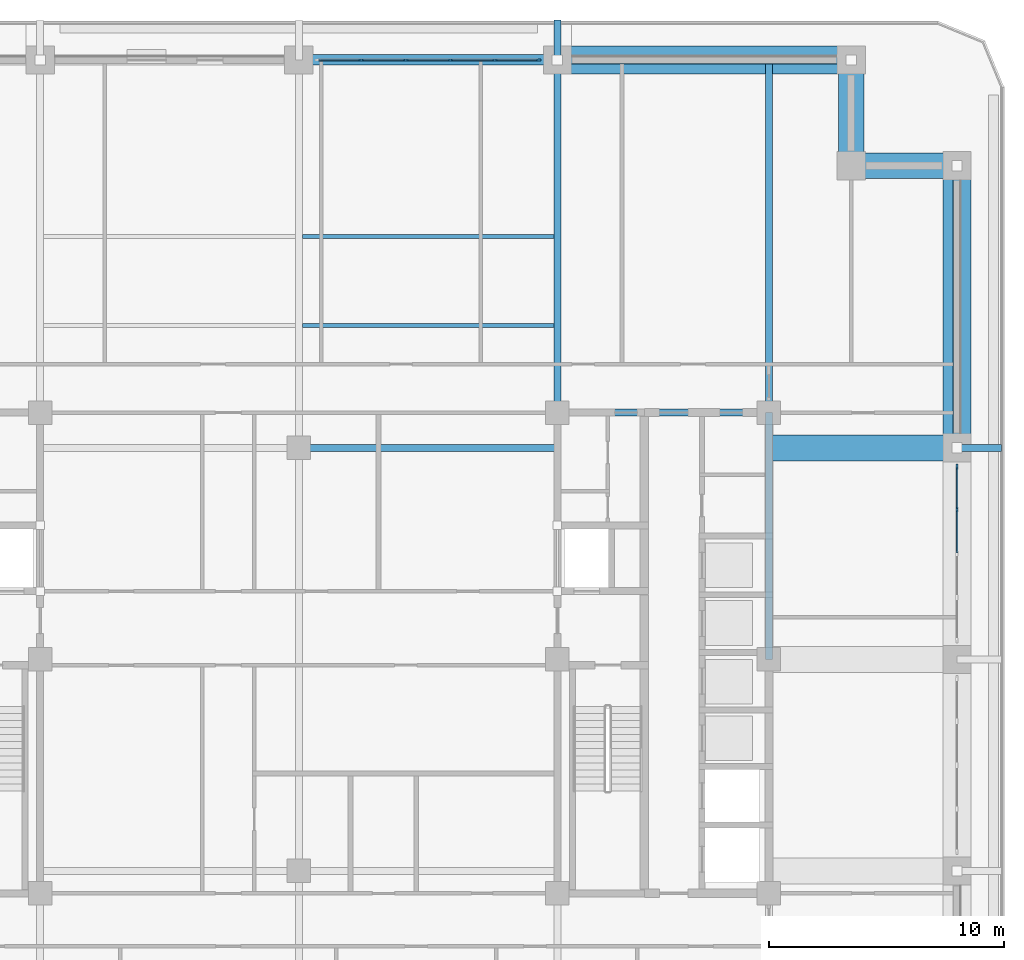
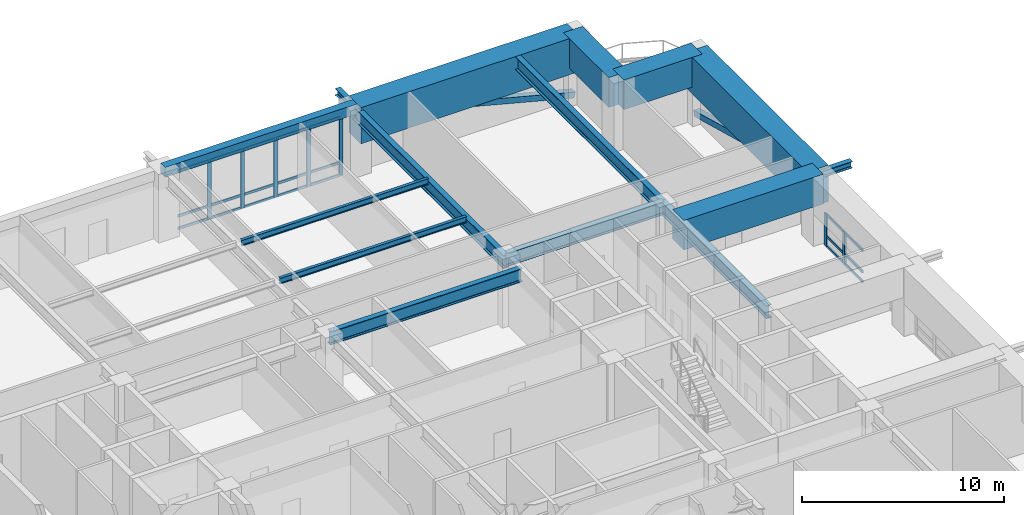
# One storey, part 6 of 21: 30 members, 15 beams, 2 elements without a shape of their own.
"""IFC4 building model written with IfcOpenShell, lengths in metres."""

from ifc_helpers import new_model, si_unit, direction, frame, origin, origin_2d, place, context, subcontext, project, spatial, rectangle, hollow_rectangle, i_section, extrude, material, material_profile, profile_set, type_object, element, aggregate, save


model = new_model("IFC4")

# Units and contexts
model_context = context("Model", 3, precision=1e-05, world=origin(), true_north=direction((0.0, 1.0)))
body_context = subcontext(model_context, "Body", "Model", "MODEL_VIEW")
ifc_project = project(units=[si_unit("LENGTHUNIT", "METRE"), si_unit("AREAUNIT", "SQUARE_METRE"), si_unit("VOLUMEUNIT", "CUBIC_METRE"), si_unit("PLANEANGLEUNIT", "RADIAN"), si_unit("MASSUNIT", "GRAM", prefix="KILO")], contexts=[model_context])

# Site, building, storey
site_placement = place(None, origin())
site = spatial("IfcSite", under=ifc_project, at=site_placement, CompositionType="ELEMENT")
building_placement = place(site_placement, origin())
building = spatial("IfcBuilding", under=site, at=building_placement, Name="Zulmaris Gate Convention Tower", CompositionType="ELEMENT")
storey_placement = place(building_placement, frame((0.0, 0.0, 86.93994140625)))
storey = spatial("IfcBuildingStorey", under=building, at=storey_placement, Name="L21", CompositionType="ELEMENT", Elevation=86.93994140625)

# Beams
ifc_material_1 = material(Name="Steel S355", Category="steel")
ifc_material_profile_1 = material_profile(ifc_material_1, i_section(OverallWidth=0.300048828125, OverallDepth=0.39990234375, WebThickness=0.013427734375, FlangeThickness=0.02392578125, FilletRadius=0.027099609375, at=origin_2d()), Name="HEB 400")
ifc_profile_set_1 = profile_set([ifc_material_profile_1], Name="Steel S355")
beam_type_1 = type_object("IfcBeamType", Name="BM-HEB400", PredefinedType="BEAM", material=ifc_profile_set_1)
beam_1_placement = place(storey_placement, frame((11.0, 25.5, 3.79296875), z_axis=(0.0, 1.0, 0.0), x_axis=(-1.0, 0.0, 0.0)))
element("IfcBeam", 1, at=beam_1_placement, inside=storey, type_object=beam_type_1, Name="L21 Beam TBRK-L21-N-+11", PredefinedType="BEAM", context=body_context, shape_type="SweptSolid", body=[
    extrude(i_section(OverallWidth=0.300048828125, OverallDepth=0.39990234375, WebThickness=0.013427734375, FlangeThickness=0.02392578125, FilletRadius=0.027099609375, at=origin_2d()), origin(), (0.0, 0.0, 1.0), 1.699951171875),
])
beam_2_placement = place(storey_placement, frame((28.0, 9.0, 3.830078125), z_axis=(1.0, 0.0, 0.0), x_axis=(0.0, 1.0, 0.0)))
element("IfcBeam", 2, at=beam_2_placement, inside=storey, type_object=beam_type_1, Name="L21 Beam TBRK-L21-E-+9", PredefinedType="BEAM", context=body_context, shape_type="SweptSolid", body=[
    extrude(i_section(OverallWidth=0.300048828125, OverallDepth=0.39990234375, WebThickness=0.013427734375, FlangeThickness=0.02392578125, FilletRadius=0.027099609375, at=origin_2d()), origin(), (0.0, 0.0, 1.0), 1.89990234375),
])
ifc_material_profile_2 = material_profile(ifc_material_1, i_section(OverallWidth=0.300048828125, OverallDepth=0.800048828125, WebThickness=0.017578125, FlangeThickness=0.032958984375, FilletRadius=0.030029296875, at=origin_2d()), Name="HEB 800")
ifc_profile_set_2 = profile_set([ifc_material_profile_2], Name="Steel S355")
beam_type_2 = type_object("IfcBeamType", Name="BM-HEB800", PredefinedType="BEAM", material=ifc_profile_set_2)
beam_3_placement = place(storey_placement, frame((0.0, 9.0, 3.76806640625), z_axis=(1.0, 0.0, 0.0), x_axis=(0.0, 1.0, 0.0)))
element("IfcBeam", 3, at=beam_3_placement, inside=storey, type_object=beam_type_2, Name="L21 Beam BM-L21-G04", PredefinedType="BEAM", context=body_context, shape_type="SweptSolid", body=[
    extrude(i_section(OverallWidth=0.300048828125, OverallDepth=0.800048828125, WebThickness=0.017578125, FlangeThickness=0.032958984375, FilletRadius=0.030029296875, at=origin_2d()), origin(), (0.0, 0.0, 1.0), 11.0),
])
for number, where, z_axis, x_axis, name in (
    (4, (11.0, 10.5, 3.593017578125), (0.0, 1.0, 0.0), (-1.0, 0.0, 0.0), "L21 Beam BM-L21-G11"),
    (5, (20.0, 10.5, 3.76806640625), (0.0, 1.0, 0.0), (-1.0, 0.0, 0.0), "L21 Beam BM-L21-G15"),
):
    element("IfcBeam", number, at=place(storey_placement, frame(where, z_axis=z_axis, x_axis=x_axis)), inside=storey, type_object=beam_type_2, Name=name, PredefinedType="BEAM", context=body_context, shape_type="SweptSolid", body=[
        extrude(i_section(OverallWidth=0.300048828125, OverallDepth=0.800048828125, WebThickness=0.017578125, FlangeThickness=0.032958984375, FilletRadius=0.030029296875, at=origin_2d()), origin(), (0.0, 0.0, 1.0), 15.0),
    ])
beam_4_placement = place(storey_placement, frame((11.0, 10.5, 3.76806640625), z_axis=(1.0, 0.0, 0.0), x_axis=(0.0, 1.0, 0.0)))
element("IfcBeam", 6, at=beam_4_placement, inside=storey, type_object=beam_type_2, Name="L21 Beam BM-L21-G25", PredefinedType="BEAM", context=body_context, shape_type="SweptSolid", body=[
    extrude(i_section(OverallWidth=0.300048828125, OverallDepth=0.800048828125, WebThickness=0.017578125, FlangeThickness=0.032958984375, FilletRadius=0.030029296875, at=origin_2d()), origin(), (0.0, 0.0, 1.0), 9.0),
])
beam_5_placement = place(storey_placement, frame((20.0, 0.0, 3.76806640625), z_axis=(0.0, 1.0, 0.0), x_axis=(-1.0, 0.0, 0.0)))
element("IfcBeam", 7, at=beam_5_placement, inside=storey, type_object=beam_type_2, Name="L21 Beam BM-L21-G29", PredefinedType="BEAM", context=body_context, shape_type="SweptSolid", body=[
    extrude(i_section(OverallWidth=0.300048828125, OverallDepth=0.800048828125, WebThickness=0.017578125, FlangeThickness=0.032958984375, FilletRadius=0.030029296875, at=origin_2d()), origin(), (0.0, 0.0, 1.0), 10.5),
])
ifc_material_2 = material(Name="Precast concrete C50/60", Category="concrete")
ifc_material_profile_3 = material_profile(ifc_material_2, rectangle(XDim=0.449951171875, YDim=0.60009765625, at=origin_2d()), Name="RC SPANDREL 450x600")
ifc_profile_set_3 = profile_set([ifc_material_profile_3], Name="Precast concrete C50/60")
beam_type_3 = type_object("IfcBeamType", Name="BM-SP450x600", PredefinedType="SPANDREL", material=ifc_profile_set_3)
beam_6_placement = place(storey_placement, frame((11.0, 25.5, 3.869873046875), z_axis=(-1.0, 0.0, 0.0), x_axis=(0.0, -1.0, 0.0)))
element("IfcBeam", 8, at=beam_6_placement, inside=storey, type_object=beam_type_3, Name="L21 Spandrel SP-L21-14", PredefinedType="SPANDREL", context=body_context, shape_type="SweptSolid", body=[
    extrude(rectangle(XDim=0.449951171875, YDim=0.60009765625, at=origin_2d()), origin(), (0.0, 0.0, 1.0), 11.0),
])
ifc_material_3 = material(Name="Concrete C80/95", Category="concrete")
ifc_material_profile_4 = material_profile(ifc_material_3, rectangle(XDim=1.10009765625, YDim=1.800048828125, at=origin_2d()), Name="RC TRANSFER 1100x1800")
ifc_profile_set_4 = profile_set([ifc_material_profile_4], Name="Concrete C80/95")
beam_type_4 = type_object("IfcBeamType", Name="BM-XFER1800", PredefinedType="BEAM", material=ifc_profile_set_4)
for number, where, z_axis, x_axis, name in (
    (9, (28.0, 21.0, 3.27001953125), (-1.0, 0.0, 0.0), (0.0, -1.0, 0.0), "L21 Beam SP-L21-11"),
    (10, (23.5, 21.0, 3.27001953125), (0.0, 1.0, 0.0), (-1.0, 0.0, 0.0), "L21 Beam SP-L21-12"),
):
    element("IfcBeam", number, at=place(storey_placement, frame(where, z_axis=z_axis, x_axis=x_axis)), inside=storey, type_object=beam_type_4, Name=name, PredefinedType="BEAM", context=body_context, shape_type="SweptSolid", body=[
        extrude(rectangle(XDim=1.10009765625, YDim=1.800048828125, at=origin_2d()), origin(), (0.0, 0.0, 1.0), 4.5),
    ])
beam_7_placement = place(storey_placement, frame((20.0, 9.0, 3.27001953125), z_axis=(1.0, 0.0, 0.0), x_axis=(0.0, 1.0, 0.0)))
element("IfcBeam", 11, at=beam_7_placement, inside=storey, type_object=beam_type_4, Name="L21 Beam BM-L21-G21", PredefinedType="BEAM", context=body_context, shape_type="SweptSolid", body=[
    extrude(rectangle(XDim=1.10009765625, YDim=1.800048828125, at=origin_2d()), origin(), (0.0, 0.0, 1.0), 8.0),
])
ifc_material_profile_5 = material_profile(ifc_material_3, rectangle(XDim=1.199951171875, YDim=2.199951171875, at=origin_2d()), Name="RC TRANSFER 1200x2200")
ifc_profile_set_5 = profile_set([ifc_material_profile_5], Name="Concrete C80/95")
beam_type_5 = type_object("IfcBeamType", Name="BM-XFER2200", PredefinedType="BEAM", material=ifc_profile_set_5)
beam_8_placement = place(storey_placement, frame((28.0, 9.0, 3.070068359375), z_axis=(0.0, 1.0, 0.0), x_axis=(-1.0, 0.0, 0.0)))
element("IfcBeam", 12, at=beam_8_placement, inside=storey, type_object=beam_type_5, Name="L21 Beam SP-L21-10", PredefinedType="BEAM", context=body_context, shape_type="SweptSolid", body=[
    extrude(rectangle(XDim=1.199951171875, YDim=2.199951171875, at=origin_2d()), origin(), (0.0, 0.0, 1.0), 12.0),
])
beam_9_placement = place(storey_placement, frame((23.5, 25.5, 3.070068359375), z_axis=(-1.0, 0.0, 0.0), x_axis=(0.0, -1.0, 0.0)))
element("IfcBeam", 13, at=beam_9_placement, inside=storey, type_object=beam_type_5, Name="L21 Beam SP-L21-13", PredefinedType="BEAM", context=body_context, shape_type="SweptSolid", body=[
    extrude(rectangle(XDim=1.199951171875, YDim=2.199951171875, at=origin_2d()), origin(), (0.0, 0.0, 1.0), 12.5),
])

# Members
ifc_material_4 = material(Name="Steel S460", Category="steel")
ifc_material_profile_6 = material_profile(ifc_material_4, hollow_rectangle(XDim=0.35009765625, YDim=0.35009765625, WallThickness=0.01611328125, at=origin_2d()), Name="SHS 350x350x16")
ifc_profile_set_6 = profile_set([ifc_material_profile_6], Name="Steel S460")
member_type_1 = type_object("IfcMemberType", Name="BR-SHS350", PredefinedType="BRACE", material=ifc_profile_set_6)
member_1_placement = place(storey_placement, frame((28.0, 21.0, 0.300048828125), z_axis=(0.0, -0.96522637192, 0.261415475728), x_axis=(1.0, 0.0, 0.0)))
element("IfcMember", 14, at=member_1_placement, inside=storey, type_object=member_type_1, Name="L21 Perimeter Tube Diagonal NE-E", PredefinedType="BRACE", context=body_context, shape_type="SweptSolid", body=[
    extrude(hollow_rectangle(XDim=0.35009765625, YDim=0.35009765625, WallThickness=0.01611328125, at=origin_2d()), origin(), (0.0, 0.0, 1.0), 12.432373046875),
])
member_2_placement = place(storey_placement, frame((23.5, 25.5, 0.300048828125), z_axis=(-0.967822506788, 0.0, 0.251633851765), x_axis=(0.0, -1.0, 0.0)))
element("IfcMember", 15, at=member_2_placement, inside=storey, type_object=member_type_1, Name="L21 Perimeter Tube Diagonal NE-N", PredefinedType="BRACE", context=body_context, shape_type="SweptSolid", body=[
    extrude(hollow_rectangle(XDim=0.35009765625, YDim=0.35009765625, WallThickness=0.01611328125, at=origin_2d()), origin(), (0.0, 0.0, 1.0), 12.91552734375),
])

# Curtain wall, members
ifc_material_5 = material(Name="Anodised Aluminium", Category="aluminium")
curtain_wall_type = type_object("IfcCurtainWallType", Name="CW-04", PredefinedType="NOTDEFINED", material=ifc_material_5)
curtain_wall_1_placement = place(storey_placement, origin())
curtain_wall_1 = element("IfcCurtainWall", 16, at=curtain_wall_1_placement, inside=storey, type_object=curtain_wall_type, Name="CW-04 CW04-L21-N-2_0", PredefinedType="NOTDEFINED")
ifc_material_profile_7 = material_profile(ifc_material_5, rectangle(XDim=0.090087890625, YDim=0.219970703125, at=origin_2d()), Name="ALU MULLION 90x220")
ifc_profile_set_7 = profile_set([ifc_material_profile_7], Name="Anodised Aluminium")
member_type_2 = type_object("IfcMemberType", Name="CW-04-MULL", PredefinedType="MULLION", material=ifc_profile_set_7)
member_3_placement = place(storey_placement, frame((10.195068359375, 25.5, 0.0), z_axis=(0.0, 0.0, 1.0), x_axis=(0.0, -1.0, 0.0)))
member_3 = element("IfcMember", 17, at=member_3_placement, type_object=member_type_2, Name="CW-04 mullion 1", PredefinedType="MULLION", context=body_context, shape_type="SweptSolid", body=[
    extrude(rectangle(XDim=0.090087890625, YDim=0.219970703125, at=origin_2d()), origin(), (0.0, 0.0, 1.0), 3.56201171875),
])
member_4_placement = place(storey_placement, frame((8.343994140625, 25.5, 0.0), z_axis=(0.0, 0.0, 1.0), x_axis=(0.0, -1.0, 0.0)))
member_4 = element("IfcMember", 18, at=member_4_placement, type_object=member_type_2, Name="CW-04 mullion 2", PredefinedType="MULLION", context=body_context, shape_type="SweptSolid", body=[
    extrude(rectangle(XDim=0.090087890625, YDim=0.219970703125, at=origin_2d()), origin(), (0.0, 0.0, 1.0), 3.56201171875),
])
member_5_placement = place(storey_placement, frame((6.447998046875, 25.5, 0.0), z_axis=(0.0, 0.0, 1.0), x_axis=(0.0, -1.0, 0.0)))
member_5 = element("IfcMember", 19, at=member_5_placement, type_object=member_type_2, Name="CW-04 mullion 3", PredefinedType="MULLION", context=body_context, shape_type="SweptSolid", body=[
    extrude(rectangle(XDim=0.090087890625, YDim=0.219970703125, at=origin_2d()), origin(), (0.0, 0.0, 1.0), 3.56201171875),
])
member_6_placement = place(storey_placement, frame((4.552001953125, 25.5, 0.0), z_axis=(0.0, 0.0, 1.0), x_axis=(0.0, -1.0, 0.0)))
member_6 = element("IfcMember", 20, at=member_6_placement, type_object=member_type_2, Name="CW-04 mullion 4", PredefinedType="MULLION", context=body_context, shape_type="SweptSolid", body=[
    extrude(rectangle(XDim=0.090087890625, YDim=0.219970703125, at=origin_2d()), origin(), (0.0, 0.0, 1.0), 3.56201171875),
])
member_7_placement = place(storey_placement, frame((2.656005859375, 25.5, 0.0), z_axis=(0.0, 0.0, 1.0), x_axis=(0.0, -1.0, 0.0)))
member_7 = element("IfcMember", 21, at=member_7_placement, type_object=member_type_2, Name="CW-04 mullion 5", PredefinedType="MULLION", context=body_context, shape_type="SweptSolid", body=[
    extrude(rectangle(XDim=0.090087890625, YDim=0.219970703125, at=origin_2d()), origin(), (0.0, 0.0, 1.0), 3.56201171875),
])

curtain_wall_2_placement = place(storey_placement, origin())
curtain_wall_2 = element("IfcCurtainWall", 22, at=curtain_wall_2_placement, inside=storey, type_object=curtain_wall_type, Name="CW-04 CW04-L21-E-2_0", PredefinedType="NOTDEFINED")
member_8_placement = place(storey_placement, frame((28.0, 6.3701171875, 0.0), z_axis=(0.0, 0.0, 1.0), x_axis=(-1.0, 0.0, 0.0)))
member_8 = element("IfcMember", 23, at=member_8_placement, type_object=member_type_2, Name="CW-04 mullion 4", PredefinedType="MULLION", context=body_context, shape_type="SweptSolid", body=[
    extrude(rectangle(XDim=0.090087890625, YDim=0.219970703125, at=origin_2d()), origin(), (0.0, 0.0, 1.0), 1.9619140625),
])
member_9_placement = place(storey_placement, frame((28.0, 8.195068359375, 0.0), z_axis=(0.0, 0.0, 1.0), x_axis=(-1.0, 0.0, 0.0)))
member_9 = element("IfcMember", 24, at=member_9_placement, type_object=member_type_2, Name="CW-04 mullion 5", PredefinedType="MULLION", context=body_context, shape_type="SweptSolid", body=[
    extrude(rectangle(XDim=0.090087890625, YDim=0.219970703125, at=origin_2d()), origin(), (0.0, 0.0, 1.0), 1.9619140625),
])

# Member
ifc_material_profile_8 = material_profile(ifc_material_5, rectangle(XDim=0.074951171875, YDim=0.14990234375, at=origin_2d()), Name="ALU TRANSOM 75x150")
ifc_profile_set_8 = profile_set([ifc_material_profile_8], Name="Anodised Aluminium")
member_type_3 = type_object("IfcMemberType", Name="CW-04-TRAN", PredefinedType="USERDEFINED", material=ifc_profile_set_8)
member_10_placement = place(storey_placement, frame((10.14990234375, 25.5, 0.037353515625), z_axis=(-1.0, 0.0, 0.0), x_axis=(0.0, -1.0, 0.0)))
member_10 = element("IfcMember", 25, at=member_10_placement, type_object=member_type_3, Name="CW-04 transom 1.1", ObjectType="TRANSOM", PredefinedType="USERDEFINED", context=body_context, shape_type="SweptSolid", body=[
    extrude(rectangle(XDim=0.074951171875, YDim=0.14990234375, at=origin_2d()), origin(), (0.0, 0.0, 1.0), 1.760986328125),
])

member_11_placement = place(storey_placement, frame((10.14990234375, 25.5, 0.800048828125), z_axis=(-1.0, 0.0, 0.0), x_axis=(0.0, -1.0, 0.0)))
member_11 = element("IfcMember", 26, at=member_11_placement, type_object=member_type_3, Name="CW-04 transom 1.2", ObjectType="TRANSOM", PredefinedType="USERDEFINED", context=body_context, shape_type="SweptSolid", body=[
    extrude(rectangle(XDim=0.074951171875, YDim=0.14990234375, at=origin_2d()), origin(), (0.0, 0.0, 1.0), 1.760986328125),
])

member_12_placement = place(storey_placement, frame((10.14990234375, 25.5, 3.5244140625), z_axis=(-1.0, 0.0, 0.0), x_axis=(0.0, -1.0, 0.0)))
member_12 = element("IfcMember", 27, at=member_12_placement, type_object=member_type_3, Name="CW-04 transom 1.3", ObjectType="TRANSOM", PredefinedType="USERDEFINED", context=body_context, shape_type="SweptSolid", body=[
    extrude(rectangle(XDim=0.074951171875, YDim=0.14990234375, at=origin_2d()), origin(), (0.0, 0.0, 1.0), 1.760986328125),
])

member_13_placement = place(storey_placement, frame((8.299072265625, 25.5, 0.037353515625), z_axis=(-1.0, 0.0, 0.0), x_axis=(0.0, -1.0, 0.0)))
member_13 = element("IfcMember", 28, at=member_13_placement, type_object=member_type_3, Name="CW-04 transom 2.1", ObjectType="TRANSOM", PredefinedType="USERDEFINED", context=body_context, shape_type="SweptSolid", body=[
    extrude(rectangle(XDim=0.074951171875, YDim=0.14990234375, at=origin_2d()), origin(), (0.0, 0.0, 1.0), 1.80615234375),
])

member_14_placement = place(storey_placement, frame((8.299072265625, 25.5, 0.800048828125), z_axis=(-1.0, 0.0, 0.0), x_axis=(0.0, -1.0, 0.0)))
member_14 = element("IfcMember", 29, at=member_14_placement, type_object=member_type_3, Name="CW-04 transom 2.2", ObjectType="TRANSOM", PredefinedType="USERDEFINED", context=body_context, shape_type="SweptSolid", body=[
    extrude(rectangle(XDim=0.074951171875, YDim=0.14990234375, at=origin_2d()), origin(), (0.0, 0.0, 1.0), 1.80615234375),
])

member_15_placement = place(storey_placement, frame((8.299072265625, 25.5, 3.5244140625), z_axis=(-1.0, 0.0, 0.0), x_axis=(0.0, -1.0, 0.0)))
member_15 = element("IfcMember", 30, at=member_15_placement, type_object=member_type_3, Name="CW-04 transom 2.3", ObjectType="TRANSOM", PredefinedType="USERDEFINED", context=body_context, shape_type="SweptSolid", body=[
    extrude(rectangle(XDim=0.074951171875, YDim=0.14990234375, at=origin_2d()), origin(), (0.0, 0.0, 1.0), 1.80615234375),
])

member_16_placement = place(storey_placement, frame((6.403076171875, 25.5, 0.037353515625), z_axis=(-1.0, 0.0, 0.0), x_axis=(0.0, -1.0, 0.0)))
member_16 = element("IfcMember", 31, at=member_16_placement, type_object=member_type_3, Name="CW-04 transom 3.1", ObjectType="TRANSOM", PredefinedType="USERDEFINED", context=body_context, shape_type="SweptSolid", body=[
    extrude(rectangle(XDim=0.074951171875, YDim=0.14990234375, at=origin_2d()), origin(), (0.0, 0.0, 1.0), 1.80615234375),
])

member_17_placement = place(storey_placement, frame((6.403076171875, 25.5, 0.800048828125), z_axis=(-1.0, 0.0, 0.0), x_axis=(0.0, -1.0, 0.0)))
member_17 = element("IfcMember", 32, at=member_17_placement, type_object=member_type_3, Name="CW-04 transom 3.2", ObjectType="TRANSOM", PredefinedType="USERDEFINED", context=body_context, shape_type="SweptSolid", body=[
    extrude(rectangle(XDim=0.074951171875, YDim=0.14990234375, at=origin_2d()), origin(), (0.0, 0.0, 1.0), 1.80615234375),
])

member_18_placement = place(storey_placement, frame((6.403076171875, 25.5, 3.5244140625), z_axis=(-1.0, 0.0, 0.0), x_axis=(0.0, -1.0, 0.0)))
member_18 = element("IfcMember", 33, at=member_18_placement, type_object=member_type_3, Name="CW-04 transom 3.3", ObjectType="TRANSOM", PredefinedType="USERDEFINED", context=body_context, shape_type="SweptSolid", body=[
    extrude(rectangle(XDim=0.074951171875, YDim=0.14990234375, at=origin_2d()), origin(), (0.0, 0.0, 1.0), 1.80615234375),
])

member_19_placement = place(storey_placement, frame((4.507080078125, 25.5, 0.037353515625), z_axis=(-1.0, 0.0, 0.0), x_axis=(0.0, -1.0, 0.0)))
member_19 = element("IfcMember", 34, at=member_19_placement, type_object=member_type_3, Name="CW-04 transom 4.1", ObjectType="TRANSOM", PredefinedType="USERDEFINED", context=body_context, shape_type="SweptSolid", body=[
    extrude(rectangle(XDim=0.074951171875, YDim=0.14990234375, at=origin_2d()), origin(), (0.0, 0.0, 1.0), 1.80615234375),
])

member_20_placement = place(storey_placement, frame((4.507080078125, 25.5, 0.800048828125), z_axis=(-1.0, 0.0, 0.0), x_axis=(0.0, -1.0, 0.0)))
member_20 = element("IfcMember", 35, at=member_20_placement, type_object=member_type_3, Name="CW-04 transom 4.2", ObjectType="TRANSOM", PredefinedType="USERDEFINED", context=body_context, shape_type="SweptSolid", body=[
    extrude(rectangle(XDim=0.074951171875, YDim=0.14990234375, at=origin_2d()), origin(), (0.0, 0.0, 1.0), 1.80615234375),
])

member_21_placement = place(storey_placement, frame((4.507080078125, 25.5, 3.5244140625), z_axis=(-1.0, 0.0, 0.0), x_axis=(0.0, -1.0, 0.0)))
member_21 = element("IfcMember", 36, at=member_21_placement, type_object=member_type_3, Name="CW-04 transom 4.3", ObjectType="TRANSOM", PredefinedType="USERDEFINED", context=body_context, shape_type="SweptSolid", body=[
    extrude(rectangle(XDim=0.074951171875, YDim=0.14990234375, at=origin_2d()), origin(), (0.0, 0.0, 1.0), 1.80615234375),
])

member_22_placement = place(storey_placement, frame((2.611083984375, 25.5, 0.037353515625), z_axis=(-1.0, 0.0, 0.0), x_axis=(0.0, -1.0, 0.0)))
member_22 = element("IfcMember", 37, at=member_22_placement, type_object=member_type_3, Name="CW-04 transom 5.1", ObjectType="TRANSOM", PredefinedType="USERDEFINED", context=body_context, shape_type="SweptSolid", body=[
    extrude(rectangle(XDim=0.074951171875, YDim=0.14990234375, at=origin_2d()), origin(), (0.0, 0.0, 1.0), 1.760986328125),
])

member_23_placement = place(storey_placement, frame((2.611083984375, 25.5, 0.800048828125), z_axis=(-1.0, 0.0, 0.0), x_axis=(0.0, -1.0, 0.0)))
member_23 = element("IfcMember", 38, at=member_23_placement, type_object=member_type_3, Name="CW-04 transom 5.2", ObjectType="TRANSOM", PredefinedType="USERDEFINED", context=body_context, shape_type="SweptSolid", body=[
    extrude(rectangle(XDim=0.074951171875, YDim=0.14990234375, at=origin_2d()), origin(), (0.0, 0.0, 1.0), 1.760986328125),
])

member_24_placement = place(storey_placement, frame((2.611083984375, 25.5, 3.5244140625), z_axis=(-1.0, 0.0, 0.0), x_axis=(0.0, -1.0, 0.0)))
member_24 = element("IfcMember", 39, at=member_24_placement, type_object=member_type_3, Name="CW-04 transom 5.3", ObjectType="TRANSOM", PredefinedType="USERDEFINED", context=body_context, shape_type="SweptSolid", body=[
    extrude(rectangle(XDim=0.074951171875, YDim=0.14990234375, at=origin_2d()), origin(), (0.0, 0.0, 1.0), 1.760986328125),
])

aggregate(curtain_wall_1, [member_3, member_4, member_5, member_6, member_7, member_10, member_11, member_12, member_13, member_14, member_15, member_16, member_17, member_18, member_19, member_20, member_21, member_22, member_23, member_24])

member_25_placement = place(storey_placement, frame((28.0, 4.544921875, 0.037353515625), z_axis=(0.0, 1.0, 0.0), x_axis=(-1.0, 0.0, 0.0)))
member_25 = element("IfcMember", 40, at=member_25_placement, type_object=member_type_3, Name="CW-04 transom 3.1", ObjectType="TRANSOM", PredefinedType="USERDEFINED", context=body_context, shape_type="SweptSolid", body=[
    extrude(rectangle(XDim=0.074951171875, YDim=0.14990234375, at=origin_2d()), origin(), (0.0, 0.0, 1.0), 1.780029296875),
])

member_26_placement = place(storey_placement, frame((28.0, 4.544921875, 0.627685546875), z_axis=(0.0, 1.0, 0.0), x_axis=(-1.0, 0.0, 0.0)))
member_26 = element("IfcMember", 41, at=member_26_placement, type_object=member_type_3, Name="CW-04 transom 3.2", ObjectType="TRANSOM", PredefinedType="USERDEFINED", context=body_context, shape_type="SweptSolid", body=[
    extrude(rectangle(XDim=0.074951171875, YDim=0.14990234375, at=origin_2d()), origin(), (0.0, 0.0, 1.0), 1.780029296875),
])

member_27_placement = place(storey_placement, frame((28.0, 4.544921875, 1.924560546875), z_axis=(0.0, 1.0, 0.0), x_axis=(-1.0, 0.0, 0.0)))
member_27 = element("IfcMember", 42, at=member_27_placement, type_object=member_type_3, Name="CW-04 transom 3.3", ObjectType="TRANSOM", PredefinedType="USERDEFINED", context=body_context, shape_type="SweptSolid", body=[
    extrude(rectangle(XDim=0.074951171875, YDim=0.14990234375, at=origin_2d()), origin(), (0.0, 0.0, 1.0), 1.780029296875),
])

member_28_placement = place(storey_placement, frame((28.0, 6.4150390625, 0.037353515625), z_axis=(0.0, 1.0, 0.0), x_axis=(-1.0, 0.0, 0.0)))
member_28 = element("IfcMember", 43, at=member_28_placement, type_object=member_type_3, Name="CW-04 transom 4.1", ObjectType="TRANSOM", PredefinedType="USERDEFINED", context=body_context, shape_type="SweptSolid", body=[
    extrude(rectangle(XDim=0.074951171875, YDim=0.14990234375, at=origin_2d()), origin(), (0.0, 0.0, 1.0), 1.73486328125),
])

member_29_placement = place(storey_placement, frame((28.0, 6.4150390625, 0.627685546875), z_axis=(0.0, 1.0, 0.0), x_axis=(-1.0, 0.0, 0.0)))
member_29 = element("IfcMember", 44, at=member_29_placement, type_object=member_type_3, Name="CW-04 transom 4.2", ObjectType="TRANSOM", PredefinedType="USERDEFINED", context=body_context, shape_type="SweptSolid", body=[
    extrude(rectangle(XDim=0.074951171875, YDim=0.14990234375, at=origin_2d()), origin(), (0.0, 0.0, 1.0), 1.73486328125),
])

member_30_placement = place(storey_placement, frame((28.0, 6.4150390625, 1.924560546875), z_axis=(0.0, 1.0, 0.0), x_axis=(-1.0, 0.0, 0.0)))
member_30 = element("IfcMember", 45, at=member_30_placement, type_object=member_type_3, Name="CW-04 transom 4.3", ObjectType="TRANSOM", PredefinedType="USERDEFINED", context=body_context, shape_type="SweptSolid", body=[
    extrude(rectangle(XDim=0.074951171875, YDim=0.14990234375, at=origin_2d()), origin(), (0.0, 0.0, 1.0), 1.73486328125),
])

aggregate(curtain_wall_2, [member_8, member_9, member_25, member_26, member_27, member_28, member_29, member_30])

# Beams
ifc_material_profile_9 = material_profile(ifc_material_1, i_section(OverallWidth=0.169921875, OverallDepth=0.360107421875, WebThickness=0.008056640625, FlangeThickness=0.0126953125, FilletRadius=0.01806640625, at=origin_2d()), Name="IPE 360")
ifc_profile_set_9 = profile_set([ifc_material_profile_9], Name="Steel S355")
beam_type_6 = type_object("IfcBeamType", Name="JT-IPE360", PredefinedType="JOIST", material=ifc_profile_set_9)
for number, where, z_axis, x_axis, name in (
    (46, (0.14990234375, 14.199951171875, 3.988037109375), (1.0, 0.0, 0.0), (0.0, 1.0, 0.0), "L21 Joist JT-L21-CE-+14.2"),
    (47, (0.14990234375, 18.0, 3.988037109375), (1.0, 0.0, 0.0), (0.0, 1.0, 0.0), "L21 Joist JT-L21-CE-+18.0"),
):
    element("IfcBeam", number, at=place(storey_placement, frame(where, z_axis=z_axis, x_axis=x_axis)), inside=storey, type_object=beam_type_6, Name=name, PredefinedType="JOIST", context=body_context, shape_type="SweptSolid", body=[
        extrude(i_section(OverallWidth=0.169921875, OverallDepth=0.360107421875, WebThickness=0.008056640625, FlangeThickness=0.0126953125, FilletRadius=0.01806640625, at=origin_2d()), origin(), (0.0, 0.0, 1.0), 10.7001953125),
    ])

save(model, "model.ifc")
